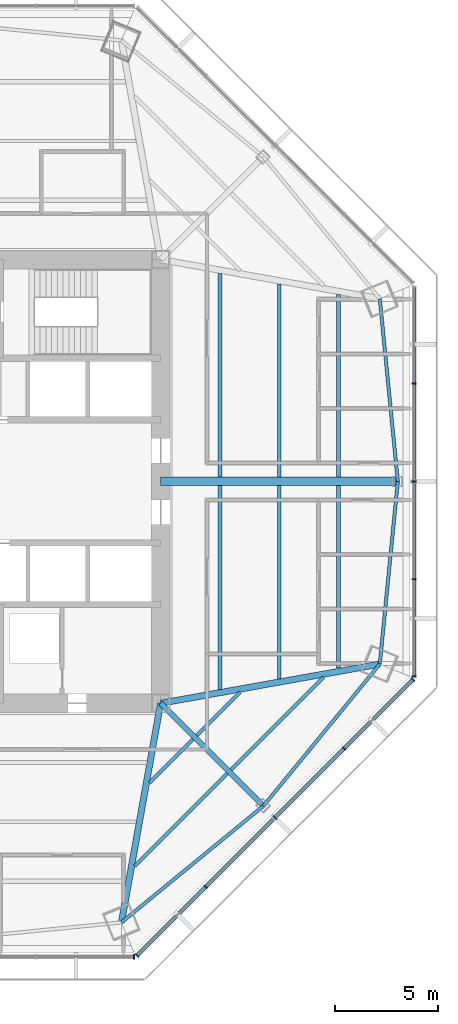
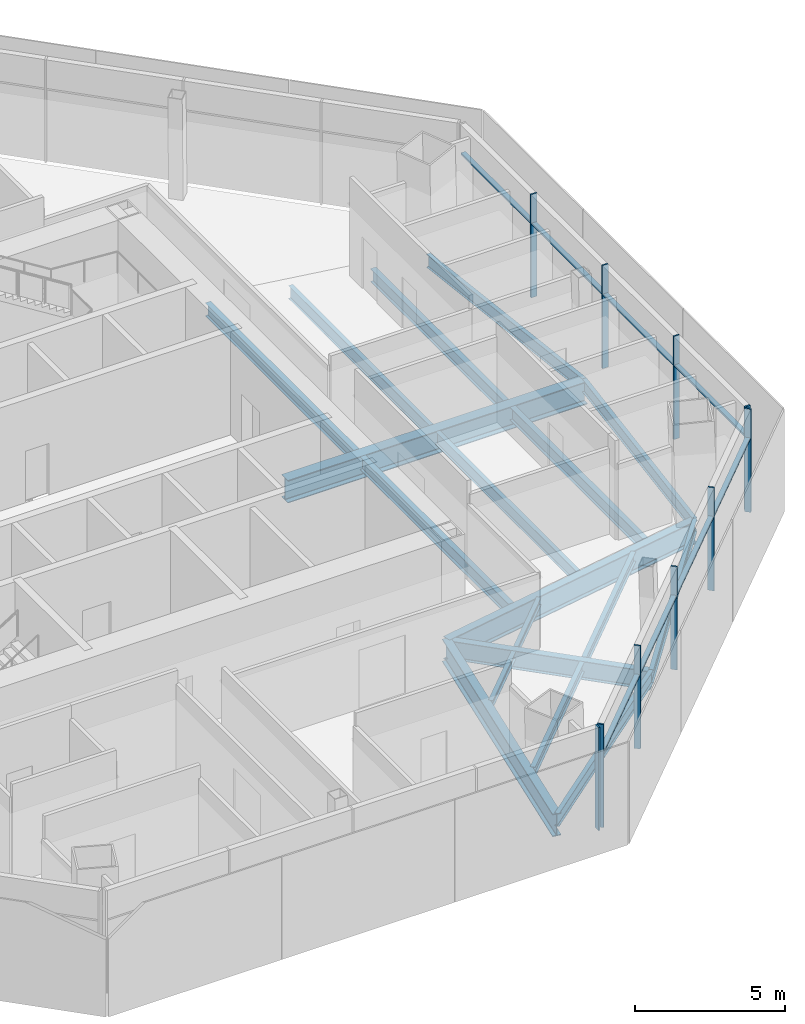
# One storey, part 4 of 15: 18 beams, 18 members, 3 elements without a shape of their own.
"""IFC4 building model written with IfcOpenShell, lengths in metres."""

from ifc_helpers import new_model, si_unit, direction, frame, origin, origin_2d, place, context, subcontext, project, spatial, rectangle, i_section, extrude, source, transform, mapped, material, material_profile, profile_set, type_object, type_shapes, element, aggregate, save


model = new_model("IFC4")

# Units and contexts
model_context = context("Model", 3, precision=1e-05, world=origin(), true_north=direction((0.0, 1.0)))
body_context = subcontext(model_context, "Body", "Model", "MODEL_VIEW")
ifc_project = project(units=[si_unit("LENGTHUNIT", "METRE"), si_unit("AREAUNIT", "SQUARE_METRE"), si_unit("VOLUMEUNIT", "CUBIC_METRE"), si_unit("PLANEANGLEUNIT", "RADIAN"), si_unit("MASSUNIT", "GRAM", prefix="KILO")], contexts=[model_context])

# Site, building, storey
site_placement = place(None, origin())
site = spatial("IfcSite", under=ifc_project, at=site_placement, CompositionType="ELEMENT")
building_placement = place(site_placement, origin())
building = spatial("IfcBuilding", under=site, at=building_placement, Name="Mashrafa Tower", CompositionType="ELEMENT")
storey_placement = place(building_placement, frame((0.0, 0.0, 172.199951171875)))
storey = spatial("IfcBuildingStorey", under=building, at=storey_placement, Name="L39", CompositionType="ELEMENT", Elevation=172.199951171875)

# Beams
ifc_material_1 = material(Name="Steel ASTM A992", Category="steel")
ifc_material_profile_1 = material_profile(ifc_material_1, i_section(OverallWidth=0.164794921875, OverallDepth=0.309814453125, WebThickness=0.005859375, FlangeThickness=0.009765625, FilletRadius=0.007568359375, at=origin_2d()), Name="W12X26")
ifc_profile_set_1 = profile_set([ifc_material_profile_1], Name="Steel ASTM A992")
beam_type_1 = type_object("IfcBeamType", Name="Beam W12X26", PredefinedType="BEAM", material=ifc_profile_set_1)
for number, where, z_axis, x_axis, name in (
    (1, (12.373291015625, -12.561767578125, -0.31982421875), (-0.707106781187, -0.707106781187, 0.0), (0.707106781187, -0.707106781187, 0.0), "Floor beam L39 029"),
    (2, (14.670654296875, -10.264404296875, -0.31982421875), (-0.707106781187, -0.707106781187, 0.0), (0.707106781187, -0.707106781187, 0.0), "Floor beam L39 035"),
):
    element("IfcBeam", number, at=place(storey_placement, frame(where, z_axis=z_axis, x_axis=x_axis)), inside=storey, type_object=beam_type_1, Name=name, PredefinedType="BEAM", context=body_context, shape_type="SweptSolid", body=[
        extrude(i_section(OverallWidth=0.164794921875, OverallDepth=0.309814453125, WebThickness=0.005859375, FlangeThickness=0.009765625, FilletRadius=0.007568359375, at=origin_2d()), origin(), (0.0, 0.0, 1.0), 2.982421875),
    ])
ifc_material_2 = material(Name="Steel ASTM A992", Category="steel")
ifc_material_profile_2 = material_profile(ifc_material_2, i_section(OverallWidth=0.177734375, OverallDepth=0.406494140625, WebThickness=0.0078125, FlangeThickness=0.012939453125, FilletRadius=0.01025390625, at=origin_2d()), Name="W16X40")
ifc_profile_set_2 = profile_set([ifc_material_profile_2], Name="Steel ASTM A992")
beam_type_2 = type_object("IfcBeamType", Name="Beam W16X40", PredefinedType="BEAM", material=ifc_profile_set_2)
for number, where, z_axis, x_axis, name in (
    (3, (14.040771484375, -14.229248046875, -0.3681640625), (-0.707106781187, -0.707106781187, 0.0), (0.707106781187, -0.707106781187, 0.0), "Floor beam L39 033"),
    (4, (18.731201171875, -9.538818359375, -0.3681640625), (-0.707106781187, -0.707106781187, 0.0), (0.707106781187, -0.707106781187, 0.0), "Floor beam L39 038"),
):
    element("IfcBeam", number, at=place(storey_placement, frame(where, z_axis=z_axis, x_axis=x_axis)), inside=storey, type_object=beam_type_2, Name=name, PredefinedType="BEAM", context=body_context, shape_type="SweptSolid", body=[
        extrude(i_section(OverallWidth=0.177734375, OverallDepth=0.406494140625, WebThickness=0.0078125, FlangeThickness=0.012939453125, FilletRadius=0.01025390625, at=origin_2d()), origin(), (0.0, 0.0, 1.0), 6.36669921875),
    ])
ifc_material_3 = material(Name="Steel ASTM A992", Category="steel")
ifc_material_profile_3 = material_profile(ifc_material_3, i_section(OverallWidth=0.1650390625, OverallDepth=0.52587890625, WebThickness=0.0087890625, FlangeThickness=0.011474609375, FilletRadius=0.0126953125, at=origin_2d()), Name="W21X44")
ifc_profile_set_3 = profile_set([ifc_material_profile_3], Name="Steel ASTM A992")
beam_type_3 = type_object("IfcBeamType", Name="Beam W21X44", PredefinedType="BEAM", material=ifc_profile_set_3)
for number, where, z_axis, x_axis, name in (
    (5, (16.573974609375, -0.20947265625, -0.427734375), (0.0, -1.0, 0.0), (1.0, 0.0, 0.0), "Floor beam L39 036"),
    (6, (16.573974609375, 9.612060546875, -0.427734375), (0.0, -1.0, 0.0), (1.0, 0.0, 0.0), "Floor beam L39 037"),
):
    element("IfcBeam", number, at=place(storey_placement, frame(where, z_axis=z_axis, x_axis=x_axis)), inside=storey, type_object=beam_type_3, Name=name, PredefinedType="BEAM", context=body_context, shape_type="SweptSolid", body=[
        extrude(i_section(OverallWidth=0.1650390625, OverallDepth=0.52587890625, WebThickness=0.0087890625, FlangeThickness=0.011474609375, FilletRadius=0.0126953125, at=origin_2d()), origin(), (0.0, 0.0, 1.0), 9.402587890625),
    ])
for number, where, z_axis, x_axis, name in (
    (7, (8.89306640625, -21.469970703125, -0.427734375), (0.773171604374, 0.634196870214, 0.0), (-0.634196870214, 0.773171604374, 0.0), "Spandrel beam L39 066"),
    (8, (15.802490234375, -15.802490234375, -0.427734375), (0.634196870214, 0.773171604374, 0.0), (-0.773171604374, 0.634196870214, 0.0), "Spandrel beam L39 068"),
):
    element("IfcBeam", number, at=place(storey_placement, frame(where, z_axis=z_axis, x_axis=x_axis)), inside=storey, type_object=beam_type_3, Name=name, PredefinedType="BEAM", context=body_context, shape_type="SweptSolid", body=[
        extrude(i_section(OverallWidth=0.1650390625, OverallDepth=0.52587890625, WebThickness=0.0087890625, FlangeThickness=0.011474609375, FilletRadius=0.0126953125, at=origin_2d()), origin(), (0.0, 0.0, 1.0), 8.9365234375),
    ])
for number, where, z_axis, x_axis, name in (
    (9, (21.469970703125, -8.89306640625, -0.427734375), (0.098270183346, 0.995159771627, 0.0), (-0.995159771627, 0.098270183346, 0.0), "Spandrel beam L39 070"),
    (10, (22.34814453125, 0.0, -0.427734375), (-0.098270183346, 0.995159771627, 0.0), (-0.995159771627, -0.098270183346, 0.0), "Spandrel beam L39 072"),
):
    element("IfcBeam", number, at=place(storey_placement, frame(where, z_axis=z_axis, x_axis=x_axis)), inside=storey, type_object=beam_type_3, Name=name, PredefinedType="BEAM", context=body_context, shape_type="SweptSolid", body=[
        extrude(i_section(OverallWidth=0.1650390625, OverallDepth=0.52587890625, WebThickness=0.0087890625, FlangeThickness=0.011474609375, FilletRadius=0.0126953125, at=origin_2d()), origin(), (0.0, 0.0, 1.0), 8.936279296875),
    ])
ifc_material_4 = material(Name="Steel ASTM A992", Category="steel")
ifc_material_profile_4 = material_profile(ifc_material_4, i_section(OverallWidth=0.209228515625, OverallDepth=0.533447265625, WebThickness=0.01025390625, FlangeThickness=0.015625, FilletRadius=0.012939453125, at=origin_2d()), Name="W21X62")
ifc_profile_set_4 = profile_set([ifc_material_profile_4], Name="Steel ASTM A992")
beam_type_4 = type_object("IfcBeamType", Name="Beam W21X62", PredefinedType="BEAM", material=ifc_profile_set_4)
for number, where, z_axis, x_axis, name in (
    (11, (13.68701171875, -0.20947265625, -0.431640625), (0.0, -1.0, 0.0), (1.0, 0.0, 0.0), "Floor beam L39 031"),
    (12, (13.68701171875, 10.1279296875, -0.431640625), (0.0, -1.0, 0.0), (1.0, 0.0, 0.0), "Floor beam L39 032"),
):
    element("IfcBeam", number, at=place(storey_placement, frame(where, z_axis=z_axis, x_axis=x_axis)), inside=storey, type_object=beam_type_4, Name=name, PredefinedType="BEAM", context=body_context, shape_type="SweptSolid", body=[
        extrude(i_section(OverallWidth=0.209228515625, OverallDepth=0.533447265625, WebThickness=0.01025390625, FlangeThickness=0.015625, FilletRadius=0.012939453125, at=origin_2d()), origin(), (0.0, 0.0, 1.0), 9.91845703125),
    ])
for number, where, z_axis, x_axis, name in (
    (13, (19.461181640625, -0.20947265625, -0.431640625), (0.0, -1.0, 0.0), (1.0, 0.0, 0.0), "Floor beam L39 039"),
    (14, (19.461181640625, 9.095947265625, -0.431640625), (0.0, -1.0, 0.0), (1.0, 0.0, 0.0), "Floor beam L39 040"),
):
    element("IfcBeam", number, at=place(storey_placement, frame(where, z_axis=z_axis, x_axis=x_axis)), inside=storey, type_object=beam_type_4, Name=name, PredefinedType="BEAM", context=body_context, shape_type="SweptSolid", body=[
        extrude(i_section(OverallWidth=0.209228515625, OverallDepth=0.533447265625, WebThickness=0.01025390625, FlangeThickness=0.015625, FilletRadius=0.012939453125, at=origin_2d()), origin(), (0.0, 0.0, 1.0), 8.886474609375),
    ])
ifc_material_5 = material(Name="Steel ASTM A992", Category="steel")
ifc_material_profile_5 = material_profile(ifc_material_5, i_section(OverallWidth=0.2666015625, OverallDepth=0.75439453125, WebThickness=0.01318359375, FlangeThickness=0.01708984375, FilletRadius=0.0166015625, at=origin_2d()), Name="W30X99")
ifc_profile_set_5 = profile_set([ifc_material_profile_5], Name="Steel ASTM A992")
beam_type_5 = type_object("IfcBeamType", Name="Beam W30X99", PredefinedType="BEAM", material=ifc_profile_set_5)
beam_1_placement = place(storey_placement, frame((10.800048828125, -10.800048828125, -0.542236328125), z_axis=(0.707106781187, -0.707106781187, 0.0), x_axis=(0.707106781187, 0.707106781187, 0.0)))
element("IfcBeam", 15, at=beam_1_placement, inside=storey, type_object=beam_type_5, Name="Radial girder L39 051", PredefinedType="BEAM", context=body_context, shape_type="SweptSolid", body=[
    extrude(i_section(OverallWidth=0.2666015625, OverallDepth=0.75439453125, WebThickness=0.01318359375, FlangeThickness=0.01708984375, FilletRadius=0.0166015625, at=origin_2d()), origin(), (0.0, 0.0, 1.0), 7.074462890625),
])
ifc_material_6 = material(Name="Steel ASTM A992", Category="steel")
ifc_material_profile_6 = material_profile(ifc_material_6, i_section(OverallWidth=0.307373046875, OverallDepth=0.927001953125, WebThickness=0.01953125, FlangeThickness=0.031982421875, FilletRadius=0.01904296875, at=origin_2d()), Name="W36X194")
ifc_profile_set_6 = profile_set([ifc_material_profile_6], Name="Steel ASTM A992")
beam_type_6 = type_object("IfcBeamType", Name="Beam W36X194", PredefinedType="BEAM", material=ifc_profile_set_6)
for number, where, z_axis, x_axis, name in (
    (16, (10.800048828125, -10.800048828125, -0.62841796875), (-0.175937197526, -0.984401392993, 0.0), (0.984401392993, -0.175937197526, 0.0), "Radial girder L39 050"),
    (17, (10.800048828125, -10.800048828125, -0.62841796875), (0.984401392993, 0.175937197526, 0.0), (-0.175937197526, 0.984401392993, 0.0), "Radial girder L39 052"),
):
    element("IfcBeam", number, at=place(storey_placement, frame(where, z_axis=z_axis, x_axis=x_axis)), inside=storey, type_object=beam_type_6, Name=name, PredefinedType="BEAM", context=body_context, shape_type="SweptSolid", body=[
        extrude(i_section(OverallWidth=0.307373046875, OverallDepth=0.927001953125, WebThickness=0.01953125, FlangeThickness=0.031982421875, FilletRadius=0.01904296875, at=origin_2d()), origin(), (0.0, 0.0, 1.0), 10.839111328125),
    ])
ifc_material_7 = material(Name="Steel ASTM A992", Category="steel")
ifc_material_profile_7 = material_profile(ifc_material_7, i_section(OverallWidth=0.419189453125, OverallDepth=0.927001953125, WebThickness=0.019287109375, FlangeThickness=0.031982421875, FilletRadius=0.020263671875, at=origin_2d()), Name="W36X231")
ifc_profile_set_7 = profile_set([ifc_material_profile_7], Name="Steel ASTM A992")
beam_type_7 = type_object("IfcBeamType", Name="Beam W36X231", PredefinedType="BEAM", material=ifc_profile_set_7)
beam_2_placement = place(storey_placement, frame((10.800048828125, 0.0, -0.62841796875), z_axis=(1.0, 0.0, 0.0), x_axis=(0.0, 1.0, 0.0)))
element("IfcBeam", 18, at=beam_2_placement, inside=storey, type_object=beam_type_7, Name="Radial girder L39 053", PredefinedType="BEAM", context=body_context, shape_type="SweptSolid", body=[
    extrude(i_section(OverallWidth=0.419189453125, OverallDepth=0.927001953125, WebThickness=0.019287109375, FlangeThickness=0.031982421875, FilletRadius=0.020263671875, at=origin_2d()), origin(), (0.0, 0.0, 1.0), 11.548095703125),
])

# Curtain wall, members
ifc_material_8 = material(Name="Unitised aluminium curtain wall", Category="aluminium")
curtain_wall_type = type_object("IfcCurtainWallType", Name="Office curtain wall, zone 2 CW-B 225 deep", PredefinedType="NOTDEFINED", material=ifc_material_8)
curtain_wall_1_placement = place(storey_placement, origin())
curtain_wall_1 = element("IfcCurtainWall", 19, at=curtain_wall_1_placement, inside=storey, type_object=curtain_wall_type, Name="Office curtain wall, zone 2 L39 east", PredefinedType="NOTDEFINED")
ifc_material_9 = material(Name="Extruded aluminium mullion", Category="aluminium")
ifc_material_profile_8 = material_profile(ifc_material_9, rectangle(XDim=0.22509765625, YDim=0.06494140625, at=origin_2d()), Name="Mullion 65x225")
ifc_profile_set_8 = profile_set([ifc_material_profile_8], Name="Extruded aluminium mullion")
member_type_1 = type_object("IfcMemberType", Name="Mullion CW-B 65 x 225", PredefinedType="MULLION", material=ifc_profile_set_8)
shared_shape_1 = source(origin(), body_context, "Body", "SweptSolid", [
    extrude(rectangle(XDim=0.22509765625, YDim=0.06494140625, at=origin_2d()), origin(), (0.0, 0.0, 1.0), 4.199951171875),
])
type_shapes(member_type_1, [shared_shape_1])
member_1_placement = place(storey_placement, frame((23.143310546875, -9.497314453125, 0.0), z_axis=(0.0, 0.0, 1.0), x_axis=(-1.0, 0.0, 0.0)))
member_1 = element("IfcMember", 20, at=member_1_placement, type_object=member_type_1, Name="CW-B mullion 1", PredefinedType="MULLION", context=body_context, shape_type="MappedRepresentation", body=[
    mapped(shared_shape_1, transform((0.0, 0.0, 0.0))),
])
member_2_placement = place(storey_placement, frame((23.143310546875, -4.764892578125, 0.0), z_axis=(0.0, 0.0, 1.0), x_axis=(-1.0, 0.0, 0.0)))
member_2 = element("IfcMember", 21, at=member_2_placement, type_object=member_type_1, Name="CW-B mullion 2", PredefinedType="MULLION", context=body_context, shape_type="MappedRepresentation", body=[
    mapped(shared_shape_1, transform((0.0, 0.0, 0.0))),
])
member_3_placement = place(storey_placement, frame((23.143310546875, 0.0, 0.0), z_axis=(0.0, 0.0, 1.0), x_axis=(-1.0, 0.0, 0.0)))
member_3 = element("IfcMember", 22, at=member_3_placement, type_object=member_type_1, Name="CW-B mullion 3", PredefinedType="MULLION", context=body_context, shape_type="MappedRepresentation", body=[
    mapped(shared_shape_1, transform((0.0, 0.0, 0.0))),
])
member_4_placement = place(storey_placement, frame((23.143310546875, 4.764892578125, 0.0), z_axis=(0.0, 0.0, 1.0), x_axis=(-1.0, 0.0, 0.0)))
member_4 = element("IfcMember", 23, at=member_4_placement, type_object=member_type_1, Name="CW-B mullion 4", PredefinedType="MULLION", context=body_context, shape_type="MappedRepresentation", body=[
    mapped(shared_shape_1, transform((0.0, 0.0, 0.0))),
])

# Curtain wall, member
curtain_wall_2_placement = place(storey_placement, origin())
curtain_wall_2 = element("IfcCurtainWall", 24, at=curtain_wall_2_placement, inside=storey, type_object=curtain_wall_type, Name="Office curtain wall, zone 2 L39 south", PredefinedType="NOTDEFINED")
member_5_placement = place(storey_placement, frame((9.497314453125, -23.143310546875, 0.0), z_axis=(0.0, 0.0, 1.0), x_axis=(0.0, 1.0, 0.0)))
member_5 = element("IfcMember", 25, at=member_5_placement, type_object=member_type_1, Name="CW-B mullion 5", PredefinedType="MULLION", context=body_context, shape_type="MappedRepresentation", body=[
    mapped(shared_shape_1, transform((0.0, 0.0, 0.0))),
])
aggregate(curtain_wall_2, [member_5])

# Curtain wall, members
curtain_wall_3_placement = place(storey_placement, origin())
curtain_wall_3 = element("IfcCurtainWall", 26, at=curtain_wall_3_placement, inside=storey, type_object=curtain_wall_type, Name="Office curtain wall, zone 2 L39 south-east", PredefinedType="NOTDEFINED")
member_6_placement = place(storey_placement, frame((9.6494140625, -23.080322265625, 0.0), z_axis=(0.0, 0.0, 1.0), x_axis=(-0.707106781187, 0.707106781187, 0.0)))
member_6 = element("IfcMember", 27, at=member_6_placement, type_object=member_type_1, Name="CW-B mullion 1", PredefinedType="MULLION", context=body_context, shape_type="MappedRepresentation", body=[
    mapped(shared_shape_1, transform((0.0, 0.0, 0.0))),
])
member_7_placement = place(storey_placement, frame((12.99560546875, -19.734130859375, 0.0), z_axis=(0.0, 0.0, 1.0), x_axis=(-0.707106781187, 0.707106781187, 0.0)))
member_7 = element("IfcMember", 28, at=member_7_placement, type_object=member_type_1, Name="CW-B mullion 2", PredefinedType="MULLION", context=body_context, shape_type="MappedRepresentation", body=[
    mapped(shared_shape_1, transform((0.0, 0.0, 0.0))),
])
member_8_placement = place(storey_placement, frame((16.364990234375, -16.364990234375, 0.0), z_axis=(0.0, 0.0, 1.0), x_axis=(-0.707106781187, 0.707106781187, 0.0)))
member_8 = element("IfcMember", 29, at=member_8_placement, type_object=member_type_1, Name="CW-B mullion 3", PredefinedType="MULLION", context=body_context, shape_type="MappedRepresentation", body=[
    mapped(shared_shape_1, transform((0.0, 0.0, 0.0))),
])
member_9_placement = place(storey_placement, frame((19.734130859375, -12.99560546875, 0.0), z_axis=(0.0, 0.0, 1.0), x_axis=(-0.707106781187, 0.707106781187, 0.0)))
member_9 = element("IfcMember", 30, at=member_9_placement, type_object=member_type_1, Name="CW-B mullion 4", PredefinedType="MULLION", context=body_context, shape_type="MappedRepresentation", body=[
    mapped(shared_shape_1, transform((0.0, 0.0, 0.0))),
])
member_10_placement = place(storey_placement, frame((23.080322265625, -9.6494140625, 0.0), z_axis=(0.0, 0.0, 1.0), x_axis=(-0.707106781187, 0.707106781187, 0.0)))
member_10 = element("IfcMember", 31, at=member_10_placement, type_object=member_type_1, Name="CW-B mullion 5", PredefinedType="MULLION", context=body_context, shape_type="MappedRepresentation", body=[
    mapped(shared_shape_1, transform((0.0, 0.0, 0.0))),
])

# Member
ifc_material_10 = material(Name="Extruded aluminium transom", Category="aluminium")
ifc_material_profile_9 = material_profile(ifc_material_10, rectangle(XDim=0.179931640625, YDim=0.080078125, at=origin_2d()), Name="Transom 80x180")
ifc_profile_set_9 = profile_set([ifc_material_profile_9], Name="Extruded aluminium transom")
member_type_2 = type_object("IfcMemberType", Name="Transom CW-B 80 x 180", PredefinedType="MULLION", material=ifc_profile_set_9)
shared_shape_2 = source(origin(), body_context, "Body", "SweptSolid", [
    extrude(rectangle(XDim=0.179931640625, YDim=0.080078125, at=origin_2d()), origin(), (0.0, 0.0, 1.0), 4.667236328125),
])
member_11_placement = place(storey_placement, frame((23.143310546875, -9.464599609375, 3.0), z_axis=(0.0, 1.0, 0.0), x_axis=(-1.0, 0.0, 0.0)))
member_11 = element("IfcMember", 32, at=member_11_placement, type_object=member_type_2, Name="CW-B transom 1", PredefinedType="MULLION", context=body_context, shape_type="MappedRepresentation", body=[
    mapped(shared_shape_2, transform((0.0, 0.0, 0.0))),
])

member_12_placement = place(storey_placement, frame((23.143310546875, 4.79736328125, 3.0), z_axis=(0.0, 1.0, 0.0), x_axis=(-1.0, 0.0, 0.0)))
member_12 = element("IfcMember", 33, at=member_12_placement, type_object=member_type_2, Name="CW-B transom 4", PredefinedType="MULLION", context=body_context, shape_type="MappedRepresentation", body=[
    mapped(shared_shape_2, transform((0.0, 0.0, 0.0))),
])

member_13_placement = place(storey_placement, frame((9.67236328125, -23.057373046875, 3.0), z_axis=(0.707106781187, 0.707106781187, 0.0), x_axis=(-0.707106781187, 0.707106781187, 0.0)))
member_13 = element("IfcMember", 34, at=member_13_placement, type_object=member_type_2, Name="CW-B transom 1", PredefinedType="MULLION", context=body_context, shape_type="MappedRepresentation", body=[
    mapped(shared_shape_2, transform((0.0, 0.0, 0.0))),
])

member_14_placement = place(storey_placement, frame((19.757080078125, -12.97265625, 3.0), z_axis=(0.707106781187, 0.707106781187, 0.0), x_axis=(-0.707106781187, 0.707106781187, 0.0)))
member_14 = element("IfcMember", 35, at=member_14_placement, type_object=member_type_2, Name="CW-B transom 4", PredefinedType="MULLION", context=body_context, shape_type="MappedRepresentation", body=[
    mapped(shared_shape_2, transform((0.0, 0.0, 0.0))),
])

shared_shape_3 = source(origin(), body_context, "Body", "SweptSolid", [
    extrude(rectangle(XDim=0.179931640625, YDim=0.080078125, at=origin_2d()), origin(), (0.0, 0.0, 1.0), 4.699951171875),
])
member_15_placement = place(storey_placement, frame((23.143310546875, -4.732421875, 3.0), z_axis=(0.0, 1.0, 0.0), x_axis=(-1.0, 0.0, 0.0)))
member_15 = element("IfcMember", 36, at=member_15_placement, type_object=member_type_2, Name="CW-B transom 2", PredefinedType="MULLION", context=body_context, shape_type="MappedRepresentation", body=[
    mapped(shared_shape_3, transform((0.0, 0.0, 0.0))),
])

member_16_placement = place(storey_placement, frame((23.143310546875, 0.032470703125, 3.0), z_axis=(0.0, 1.0, 0.0), x_axis=(-1.0, 0.0, 0.0)))
member_16 = element("IfcMember", 37, at=member_16_placement, type_object=member_type_2, Name="CW-B transom 3", PredefinedType="MULLION", context=body_context, shape_type="MappedRepresentation", body=[
    mapped(shared_shape_3, transform((0.0, 0.0, 0.0))),
])

aggregate(curtain_wall_1, [member_1, member_2, member_3, member_4, member_11, member_15, member_16, member_12])

shared_shape_4 = source(origin(), body_context, "Body", "SweptSolid", [
    extrude(rectangle(XDim=0.179931640625, YDim=0.080078125, at=origin_2d()), origin(), (0.0, 0.0, 1.0), 4.69970703125),
])
type_shapes(member_type_2, [shared_shape_2, shared_shape_3, shared_shape_4])
member_17_placement = place(storey_placement, frame((13.0185546875, -19.711181640625, 3.0), z_axis=(0.707106781187, 0.707106781187, 0.0), x_axis=(-0.707106781187, 0.707106781187, 0.0)))
member_17 = element("IfcMember", 38, at=member_17_placement, type_object=member_type_2, Name="CW-B transom 2", PredefinedType="MULLION", context=body_context, shape_type="MappedRepresentation", body=[
    mapped(shared_shape_4, transform((0.0, 0.0, 0.0))),
])

member_18_placement = place(storey_placement, frame((16.387939453125, -16.341796875, 3.0), z_axis=(0.707106781187, 0.707106781187, 0.0), x_axis=(-0.707106781187, 0.707106781187, 0.0)))
member_18 = element("IfcMember", 39, at=member_18_placement, type_object=member_type_2, Name="CW-B transom 3", PredefinedType="MULLION", context=body_context, shape_type="MappedRepresentation", body=[
    mapped(shared_shape_4, transform((0.0, 0.0, 0.0))),
])

aggregate(curtain_wall_3, [member_6, member_7, member_8, member_9, member_10, member_13, member_17, member_18, member_14])

save(model, "model.ifc")
